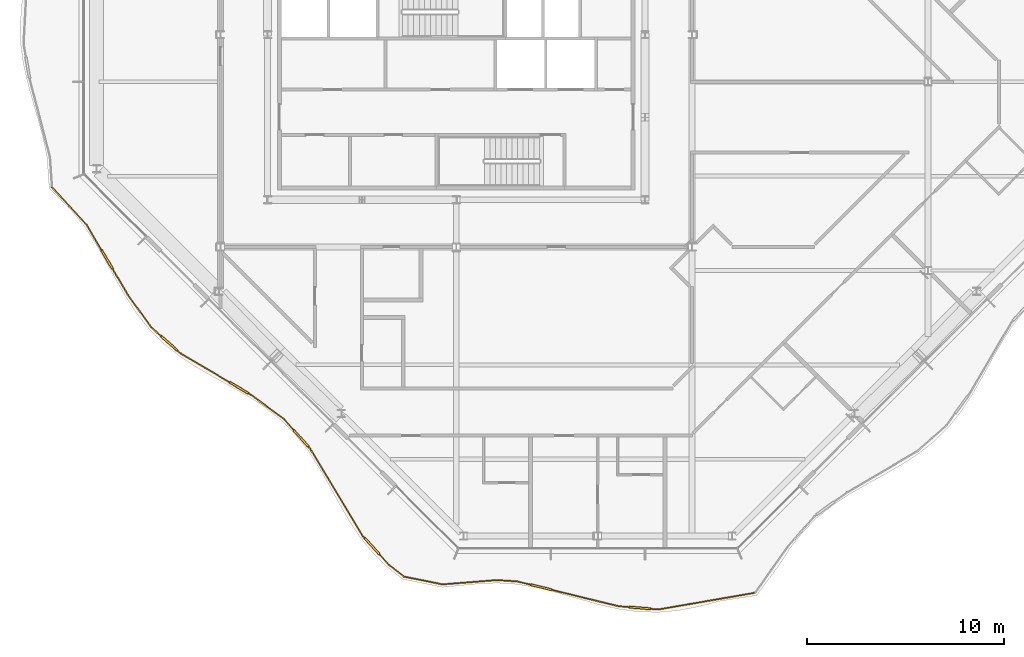
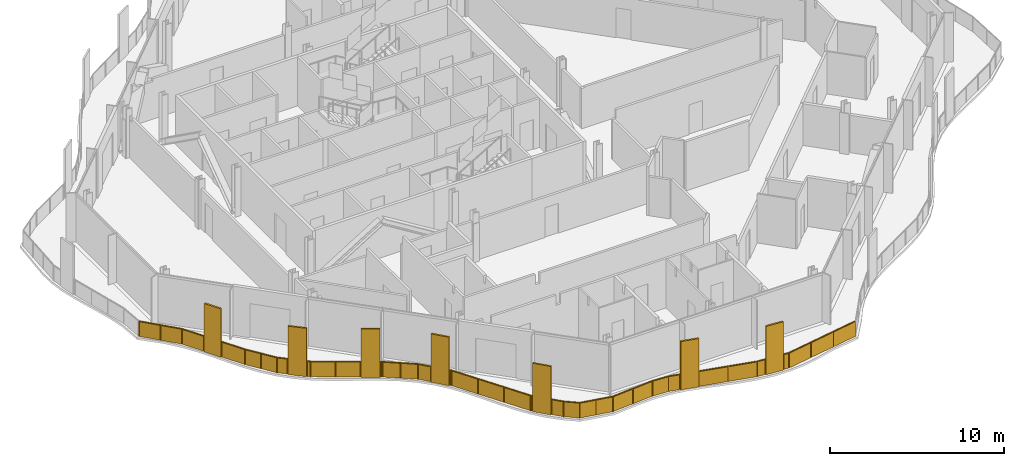
# One storey, part 13 of 17: 1 railing.
"""IFC4 building model written with IfcOpenShell, lengths in metres."""

from ifc_helpers import new_model, si_unit, direction, frame, origin, origin_2d, place, context, subcontext, project, spatial, polyline, rectangle, outline, extrude, material, type_object, element, save


model = new_model("IFC4")

# Units and contexts
model_context = context("Model", 3, precision=1e-05, world=origin(), true_north=direction((0.0, 1.0)))
body_context = subcontext(model_context, "Body", "Model", "MODEL_VIEW")
ifc_project = project(units=[si_unit("LENGTHUNIT", "METRE"), si_unit("AREAUNIT", "SQUARE_METRE"), si_unit("VOLUMEUNIT", "CUBIC_METRE"), si_unit("PLANEANGLEUNIT", "RADIAN"), si_unit("MASSUNIT", "GRAM", prefix="KILO")], contexts=[model_context])

# Site, building, storey
site_placement = place(None, origin())
site = spatial("IfcSite", under=ifc_project, at=site_placement, CompositionType="ELEMENT")
building_placement = place(site_placement, origin())
building = spatial("IfcBuilding", under=site, at=building_placement, Name="Cairn Pilgrim Tower", CompositionType="ELEMENT")
storey_placement = place(building_placement, frame((0.0, 0.0, 270.60009765625)))
storey = spatial("IfcBuildingStorey", under=building, at=storey_placement, Name="L69", CompositionType="ELEMENT", Elevation=270.60009765625)

# Railing
ifc_material = material(Name="Bronze anodised aluminium rail, posts and fin screens with laminated glass infill", Category="aluminium")
railing_type = type_object("IfcRailingType", Name="BALCONY GUARD WITH FIN SCREENS", PredefinedType="GUARDRAIL", material=ifc_material)
railing_placement = place(storey_placement, frame((-13.370849609375, -5.365234375, 0.0)))
element("IfcRailing", 1, at=railing_placement, inside=storey, type_object=railing_type, Name="Balcony guard BGF-7 with fin screens", PredefinedType="GUARDRAIL", context=body_context, shape_type="SweptSolid", body=[
    extrude(rectangle(XDim=0.050048828125, YDim=0.050048828125, at=origin_2d()), frame((0.0, 0.0, 1.0751953125), z_axis=(0.678529183958, -0.734573445285, 0.0), x_axis=(0.734573445285, 0.678529183958, 0.0)), (0.0, 0.0, 1.0), 2.60498046875),
    extrude(rectangle(XDim=1.10009765625, YDim=0.110107421875, at=origin_2d()), frame((2.80517578125, -3.677978515625, 0.0), z_axis=(0.0, 0.0, 1.0), x_axis=(0.50693302498, -0.86198544546, 0.0)), (0.0, 0.0, 1.0), 3.39990234375),
    extrude(rectangle(XDim=0.050048828125, YDim=0.050048828125, at=origin_2d()), frame((1.767578125, -1.91357421875, 1.0751953125), z_axis=(0.50693302498, -0.86198544546, 0.0), x_axis=(0.86198544546, 0.50693302498, 0.0)), (0.0, 0.0, 1.0), 1.496826171875),
    extrude(rectangle(XDim=0.050048828125, YDim=0.050048828125, at=origin_2d()), frame((3.083984375, -4.15185546875, 1.0751953125), z_axis=(0.50693302498, -0.86198544546, 0.0), x_axis=(0.86198544546, 0.50693302498, 0.0)), (0.0, 0.0, 1.0), 1.568115234375),
    extrude(rectangle(XDim=0.050048828125, YDim=0.050048828125, at=origin_2d()), frame((3.87890625, -5.503662109375, 1.0751953125), z_axis=(0.586822495849, -0.809715603385, 0.0), x_axis=(0.809715603385, 0.586822495849, 0.0)), (0.0, 0.0, 1.0), 2.01318359375),
    extrude(rectangle(XDim=1.10009765625, YDim=0.110107421875, at=origin_2d()), frame((5.960693359375, -7.93701171875, 0.0), z_axis=(0.0, 0.0, 1.0), x_axis=(0.746267341468, -0.665646343833, 0.0)), (0.0, 0.0, 1.0), 3.39990234375),
    extrude(rectangle(XDim=0.050048828125, YDim=0.050048828125, at=origin_2d()), frame((5.060302734375, -7.1337890625, 1.0751953125), z_axis=(0.746267341468, -0.665646343833, 0.0), x_axis=(0.665646343833, 0.746267341468, 0.0)), (0.0, 0.0, 1.0), 0.656494140625),
    extrude(rectangle(XDim=0.050048828125, YDim=0.050048828125, at=origin_2d()), frame((6.37109375, -8.302978515625, 1.0751953125), z_axis=(0.746267341468, -0.665646343833, 0.0), x_axis=(0.665646343833, 0.746267341468, 0.0)), (0.0, 0.0, 1.0), 0.22705078125),
    extrude(rectangle(XDim=1.10009765625, YDim=0.110107421875, at=origin_2d()), frame((9.515380859375, -10.2001953125, 0.0), z_axis=(0.0, 0.0, 1.0), x_axis=(0.862405733075, -0.506217691867, 0.0)), (0.0, 0.0, 1.0), 3.39990234375),
    extrude(rectangle(XDim=0.050048828125, YDim=0.050048828125, at=origin_2d()), frame((6.54052734375, -8.4541015625, 1.0751953125), z_axis=(0.862405733075, -0.506217691867, 0.0), x_axis=(0.506217691867, 0.862405733075, 0.0)), (0.0, 0.0, 1.0), 2.8994140625),
    extrude(rectangle(XDim=0.050048828125, YDim=0.050048828125, at=origin_2d()), frame((9.989501953125, -10.478759765625, 1.0751953125), z_axis=(0.862405733075, -0.506217691867, 0.0), x_axis=(0.506217691867, 0.862405733075, 0.0)), (0.0, 0.0, 1.0), 0.150146484375),
    extrude(rectangle(XDim=0.050048828125, YDim=0.050048828125, at=origin_2d()), frame((10.119140625, -10.5546875, 1.0751953125), z_axis=(0.807225984202, -0.590242501375, 0.0), x_axis=(0.590242501375, 0.807225984202, 0.0)), (0.0, 0.0, 1.0), 2.05908203125),
    extrude(rectangle(XDim=1.10009765625, YDim=0.110107421875, at=origin_2d()), frame((12.671630859375, -12.7783203125, 0.0), z_axis=(0.0, 0.0, 1.0), x_axis=(0.662004497751, -0.749499863213, 0.0)), (0.0, 0.0, 1.0), 3.39990234375),
    extrude(rectangle(XDim=0.050048828125, YDim=0.050048828125, at=origin_2d()), frame((11.78125, -11.77001953125, 1.0751953125), z_axis=(0.662004497751, -0.749499863213, 0.0), x_axis=(0.749499863213, 0.662004497751, 0.0)), (0.0, 0.0, 1.0), 0.795166015625),
    extrude(rectangle(XDim=0.050048828125, YDim=0.050048828125, at=origin_2d()), frame((13.035888671875, -13.1904296875, 1.0751953125), z_axis=(0.662004497751, -0.749499863213, 0.0), x_axis=(0.749499863213, 0.662004497751, 0.0)), (0.0, 0.0, 1.0), 0.150146484375),
    extrude(rectangle(XDim=0.050048828125, YDim=0.050048828125, at=origin_2d()), frame((13.13525390625, -13.302978515625, 1.0751953125), z_axis=(0.515403394498, -0.856947688567, 0.0), x_axis=(0.856947688567, 0.515403394498, 0.0)), (0.0, 0.0, 1.0), 5.18017578125),
    extrude(rectangle(XDim=1.10009765625, YDim=0.110107421875, at=origin_2d()), frame((16.277099609375, -18.259033203125, 0.0), z_axis=(0.0, 0.0, 1.0), x_axis=(0.674292683114, -0.738464201908, 0.0)), (0.0, 0.0, 1.0), 3.39990234375),
    extrude(rectangle(XDim=0.050048828125, YDim=0.050048828125, at=origin_2d()), frame((15.80517578125, -17.7421875, 1.0751953125), z_axis=(0.674292683114, -0.738464201908, 0.0), x_axis=(0.738464201908, 0.674292683114, 0.0)), (0.0, 0.0, 1.0), 0.14990234375),
    extrude(rectangle(XDim=0.050048828125, YDim=0.050048828125, at=origin_2d()), frame((16.64794921875, -18.665283203125, 1.0751953125), z_axis=(0.674292683114, -0.738464201908, 0.0), x_axis=(0.738464201908, 0.674292683114, 0.0)), (0.0, 0.0, 1.0), 0.73583984375),
    extrude(rectangle(XDim=0.050048828125, YDim=0.050048828125, at=origin_2d()), frame((17.144287109375, -19.208740234375, 1.0751953125), z_axis=(0.788070383211, -0.615585145294, 0.0), x_axis=(0.615585145294, 0.788070383211, 0.0)), (0.0, 0.0, 1.0), 0.96533203125),
    extrude(rectangle(XDim=0.050048828125, YDim=0.050048828125, at=origin_2d()), frame((17.905029296875, -19.802978515625, 1.0751953125), z_axis=(0.979842541233, -0.199771355278, 0.0), x_axis=(0.199771355278, 0.979842541233, 0.0)), (0.0, 0.0, 1.0), 2.0029296875),
    extrude(rectangle(XDim=0.050048828125, YDim=0.050048828125, at=origin_2d()), frame((19.86767578125, -20.203125, 1.0751953125), z_axis=(0.996879179951, 0.078942387724, 0.0), x_axis=(-0.078942387724, 0.996879179951, 0.0)), (0.0, 0.0, 1.0), 2.767822265625),
    extrude(rectangle(XDim=0.050048828125, YDim=0.050048828125, at=origin_2d()), frame((22.626953125, -19.984619140625, 1.0751953125), z_axis=(0.997897390553, -0.064813562829, 0.0), x_axis=(0.064813562829, 0.997897390553, 0.0)), (0.0, 0.0, 1.0), 1.0546875),
    extrude(rectangle(XDim=1.10009765625, YDim=0.110107421875, at=origin_2d()), frame((24.89013671875, -20.349365234375, 0.0), z_axis=(0.0, 0.0, 1.0), x_axis=(0.971329255949, -0.237738252156, 0.0)), (0.0, 0.0, 1.0), 3.39990234375),
    extrude(rectangle(XDim=0.050048828125, YDim=0.050048828125, at=origin_2d()), frame((23.679443359375, -20.052978515625, 1.0751953125), z_axis=(0.971329255949, -0.237738252156, 0.0), x_axis=(0.237738252156, 0.971329255949, 0.0)), (0.0, 0.0, 1.0), 0.6962890625),
    extrude(rectangle(XDim=0.050048828125, YDim=0.050048828125, at=origin_2d()), frame((25.42431640625, -20.47998046875, 1.0751953125), z_axis=(0.971329255949, -0.237738252156, 0.0), x_axis=(0.237738252156, 0.971329255949, 0.0)), (0.0, 0.0, 1.0), 3.49951171875),
    extrude(rectangle(XDim=1.10009765625, YDim=0.110107421875, at=origin_2d()), frame((29.922119140625, -21.402587890625, 0.0), z_axis=(0.0, 0.0, 1.0), x_axis=(0.996621524335, -0.082131219596, 0.0)), (0.0, 0.0, 1.0), 3.39990234375),
    extrude(rectangle(XDim=0.050048828125, YDim=0.050048828125, at=origin_2d()), frame((28.823486328125, -21.31201171875, 1.0751953125), z_axis=(0.996621524335, -0.082131219596, 0.0), x_axis=(0.082131219596, 0.996621524335, 0.0)), (0.0, 0.0, 1.0), 0.552490234375),
    extrude(rectangle(XDim=0.050048828125, YDim=0.050048828125, at=origin_2d()), frame((30.47021484375, -21.44775390625, 1.0751953125), z_axis=(0.996621524335, -0.082131219596, 0.0), x_axis=(0.082131219596, 0.996621524335, 0.0)), (0.0, 0.0, 1.0), 0.380859375),
    extrude(rectangle(XDim=0.050048828125, YDim=0.050048828125, at=origin_2d()), frame((30.849853515625, -21.47900390625, 1.0751953125), z_axis=(0.985428650716, 0.170089312859, 0.0), x_axis=(-0.170089312859, 0.985428650716, 0.0)), (0.0, 0.0, 1.0), 4.930419921875),
    extrude(rectangle(XDim=0.050048828125, YDim=0.050048828125, at=origin_2d()), origin(), (0.0, 0.0, 1.0), 1.050048828125),
    extrude(rectangle(XDim=0.050048828125, YDim=0.050048828125, at=origin_2d()), frame((0.8837890625, -0.956787109375, 0.0)), (0.0, 0.0, 1.0), 1.050048828125),
    extrude(rectangle(XDim=0.050048828125, YDim=0.050048828125, at=origin_2d()), frame((1.767578125, -1.91357421875, 0.0)), (0.0, 0.0, 1.0), 1.050048828125),
    extrude(rectangle(XDim=0.050048828125, YDim=0.050048828125, at=origin_2d()), frame((2.513671875, -3.18212890625, 0.0)), (0.0, 0.0, 1.0), 1.050048828125),
    extrude(rectangle(XDim=0.050048828125, YDim=0.050048828125, at=origin_2d()), frame((3.0966796875, -4.173583984375, 0.0)), (0.0, 0.0, 1.0), 1.050048828125),
    extrude(rectangle(XDim=0.050048828125, YDim=0.050048828125, at=origin_2d()), frame((3.87890625, -5.503662109375, 0.0)), (0.0, 0.0, 1.0), 1.050048828125),
    extrude(rectangle(XDim=0.050048828125, YDim=0.050048828125, at=origin_2d()), frame((4.4697265625, -6.31884765625, 0.0)), (0.0, 0.0, 1.0), 1.050048828125),
    extrude(rectangle(XDim=0.050048828125, YDim=0.050048828125, at=origin_2d()), frame((5.060302734375, -7.1337890625, 0.0)), (0.0, 0.0, 1.0), 1.050048828125),
    extrude(rectangle(XDim=0.050048828125, YDim=0.050048828125, at=origin_2d()), frame((5.531494140625, -7.55419921875, 0.0)), (0.0, 0.0, 1.0), 1.050048828125),
    extrude(rectangle(XDim=0.050048828125, YDim=0.050048828125, at=origin_2d()), frame((6.389892578125, -8.319580078125, 0.0)), (0.0, 0.0, 1.0), 1.050048828125),
    extrude(rectangle(XDim=0.050048828125, YDim=0.050048828125, at=origin_2d()), frame((6.54052734375, -8.4541015625, 0.0)), (0.0, 0.0, 1.0), 1.050048828125),
    extrude(rectangle(XDim=0.050048828125, YDim=0.050048828125, at=origin_2d()), frame((7.780029296875, -9.181640625, 0.0)), (0.0, 0.0, 1.0), 1.050048828125),
    extrude(rectangle(XDim=0.050048828125, YDim=0.050048828125, at=origin_2d()), frame((9.019287109375, -9.9091796875, 0.0)), (0.0, 0.0, 1.0), 1.050048828125),
    extrude(rectangle(XDim=0.050048828125, YDim=0.050048828125, at=origin_2d()), frame((10.01123046875, -10.4912109375, 0.0)), (0.0, 0.0, 1.0), 1.050048828125),
    extrude(rectangle(XDim=0.050048828125, YDim=0.050048828125, at=origin_2d()), frame((10.119140625, -10.5546875, 0.0)), (0.0, 0.0, 1.0), 1.050048828125),
    extrude(rectangle(XDim=0.050048828125, YDim=0.050048828125, at=origin_2d()), frame((10.9501953125, -11.162353515625, 0.0)), (0.0, 0.0, 1.0), 1.050048828125),
    extrude(rectangle(XDim=0.050048828125, YDim=0.050048828125, at=origin_2d()), frame((11.78125, -11.77001953125, 0.0)), (0.0, 0.0, 1.0), 1.050048828125),
    extrude(rectangle(XDim=0.050048828125, YDim=0.050048828125, at=origin_2d()), frame((12.291015625, -12.34716796875, 0.0)), (0.0, 0.0, 1.0), 1.050048828125),
    extrude(rectangle(XDim=0.050048828125, YDim=0.050048828125, at=origin_2d()), frame((13.052490234375, -13.209228515625, 0.0)), (0.0, 0.0, 1.0), 1.050048828125),
    extrude(rectangle(XDim=0.050048828125, YDim=0.050048828125, at=origin_2d()), frame((13.13525390625, -13.302978515625, 0.0)), (0.0, 0.0, 1.0), 1.050048828125),
    extrude(rectangle(XDim=0.050048828125, YDim=0.050048828125, at=origin_2d()), frame((14.025146484375, -14.78271484375, 0.0)), (0.0, 0.0, 1.0), 1.050048828125),
    extrude(rectangle(XDim=0.050048828125, YDim=0.050048828125, at=origin_2d()), frame((14.915283203125, -16.262451171875, 0.0)), (0.0, 0.0, 1.0), 1.050048828125),
    extrude(rectangle(XDim=0.050048828125, YDim=0.050048828125, at=origin_2d()), frame((15.80517578125, -17.7421875, 0.0)), (0.0, 0.0, 1.0), 1.050048828125),
    extrude(rectangle(XDim=0.050048828125, YDim=0.050048828125, at=origin_2d()), frame((15.889404296875, -17.83447265625, 0.0)), (0.0, 0.0, 1.0), 1.050048828125),
    extrude(rectangle(XDim=0.050048828125, YDim=0.050048828125, at=origin_2d()), frame((16.664794921875, -18.683837890625, 0.0)), (0.0, 0.0, 1.0), 1.050048828125),
    extrude(rectangle(XDim=0.050048828125, YDim=0.050048828125, at=origin_2d()), frame((17.144287109375, -19.208740234375, 0.0)), (0.0, 0.0, 1.0), 1.050048828125),
    extrude(rectangle(XDim=0.050048828125, YDim=0.050048828125, at=origin_2d()), frame((17.905029296875, -19.802978515625, 0.0)), (0.0, 0.0, 1.0), 1.050048828125),
    extrude(rectangle(XDim=0.050048828125, YDim=0.050048828125, at=origin_2d()), frame((18.88623046875, -20.0029296875, 0.0)), (0.0, 0.0, 1.0), 1.050048828125),
    extrude(rectangle(XDim=0.050048828125, YDim=0.050048828125, at=origin_2d()), frame((19.86767578125, -20.203125, 0.0)), (0.0, 0.0, 1.0), 1.050048828125),
    extrude(rectangle(XDim=0.050048828125, YDim=0.050048828125, at=origin_2d()), frame((21.247314453125, -20.09375, 0.0)), (0.0, 0.0, 1.0), 1.050048828125),
    extrude(rectangle(XDim=0.050048828125, YDim=0.050048828125, at=origin_2d()), frame((22.626953125, -19.984619140625, 0.0)), (0.0, 0.0, 1.0), 1.050048828125),
    extrude(rectangle(XDim=0.050048828125, YDim=0.050048828125, at=origin_2d()), frame((23.679443359375, -20.052978515625, 0.0)), (0.0, 0.0, 1.0), 1.050048828125),
    extrude(rectangle(XDim=0.050048828125, YDim=0.050048828125, at=origin_2d()), frame((24.33154296875, -20.212646484375, 0.0)), (0.0, 0.0, 1.0), 1.050048828125),
    extrude(rectangle(XDim=0.050048828125, YDim=0.050048828125, at=origin_2d()), frame((25.44873046875, -20.486083984375, 0.0)), (0.0, 0.0, 1.0), 1.050048828125),
    extrude(rectangle(XDim=0.050048828125, YDim=0.050048828125, at=origin_2d()), frame((27.135986328125, -20.89892578125, 0.0)), (0.0, 0.0, 1.0), 1.050048828125),
    extrude(rectangle(XDim=0.050048828125, YDim=0.050048828125, at=origin_2d()), frame((28.823486328125, -21.31201171875, 0.0)), (0.0, 0.0, 1.0), 1.050048828125),
    extrude(rectangle(XDim=0.050048828125, YDim=0.050048828125, at=origin_2d()), frame((29.34912109375, -21.355224609375, 0.0)), (0.0, 0.0, 1.0), 1.050048828125),
    extrude(rectangle(XDim=0.050048828125, YDim=0.050048828125, at=origin_2d()), frame((30.4951171875, -21.44970703125, 0.0)), (0.0, 0.0, 1.0), 1.050048828125),
    extrude(rectangle(XDim=0.050048828125, YDim=0.050048828125, at=origin_2d()), frame((30.849853515625, -21.47900390625, 0.0)), (0.0, 0.0, 1.0), 1.050048828125),
    extrude(rectangle(XDim=0.050048828125, YDim=0.050048828125, at=origin_2d()), frame((32.469482421875, -21.199462890625, 0.0)), (0.0, 0.0, 1.0), 1.050048828125),
    extrude(rectangle(XDim=0.050048828125, YDim=0.050048828125, at=origin_2d()), frame((34.0888671875, -20.919921875, 0.0)), (0.0, 0.0, 1.0), 1.050048828125),
    extrude(rectangle(XDim=0.050048828125, YDim=0.050048828125, at=origin_2d()), frame((35.70849609375, -20.640380859375, 0.0)), (0.0, 0.0, 1.0), 1.050048828125),
    extrude(outline(polyline([(0.02490234375, 0.0), (1.277587890625, 0.0), (1.277587890625, 1.050048828125), (0.02490234375, 1.050048828125), (0.02490234375, 0.0)])), frame((0.00439453125, 0.004150390625, 0.0), z_axis=(-0.734573445285, -0.678529183958, 0.0), x_axis=(0.678529183958, -0.734573445285, 0.0)), (0.0, 0.0, 1.0), 0.011962890625),
    extrude(outline(polyline([(0.02490234375, 0.0), (1.277587890625, 0.0), (1.277587890625, 1.050048828125), (0.02490234375, 1.050048828125), (0.02490234375, 0.0)])), frame((0.88818359375, -0.95263671875, 0.0), z_axis=(-0.734573445285, -0.678529183958, 0.0), x_axis=(0.678529183958, -0.734573445285, 0.0)), (0.0, 0.0, 1.0), 0.011962890625),
    extrude(outline(polyline([(0.02490234375, 0.0), (1.44677734375, 0.0), (1.44677734375, 1.050048828125), (0.02490234375, 1.050048828125), (0.02490234375, 0.0)])), frame((1.772705078125, -1.91064453125, 0.0), z_axis=(-0.86198544546, -0.50693302498, 0.0), x_axis=(0.50693302498, -0.86198544546, 0.0)), (0.0, 0.0, 1.0), 0.011962890625),
    extrude(outline(polyline([(0.02490234375, 0.0), (1.51806640625, 0.0), (1.51806640625, 1.050048828125), (0.02490234375, 1.050048828125), (0.02490234375, 0.0)])), frame((3.101806640625, -4.17041015625, 0.0), z_axis=(-0.86198544546, -0.50693302498, 0.0), x_axis=(0.50693302498, -0.86198544546, 0.0)), (0.0, 0.0, 1.0), 0.011962890625),
    extrude(outline(polyline([(0.02490234375, 0.0), (0.981689453125, 0.0), (0.981689453125, 1.050048828125), (0.02490234375, 1.050048828125), (0.02490234375, 0.0)])), frame((3.8837890625, -5.500244140625, 0.0), z_axis=(-0.809715603385, -0.586822495849, 0.0), x_axis=(0.586822495849, -0.809715603385, 0.0)), (0.0, 0.0, 1.0), 0.011962890625),
    extrude(outline(polyline([(0.02490234375, 0.0), (0.981689453125, 0.0), (0.981689453125, 1.050048828125), (0.02490234375, 1.050048828125), (0.02490234375, 0.0)])), frame((4.474365234375, -6.315185546875, 0.0), z_axis=(-0.809715603385, -0.586822495849, 0.0), x_axis=(0.586822495849, -0.809715603385, 0.0)), (0.0, 0.0, 1.0), 0.011962890625),
    extrude(outline(polyline([(0.02490234375, 0.0), (0.6064453125, 0.0), (0.6064453125, 1.050048828125), (0.02490234375, 1.050048828125), (0.02490234375, 0.0)])), frame((5.064208984375, -7.12939453125, 0.0), z_axis=(-0.665646343833, -0.746267341468, 0.0), x_axis=(0.746267341468, -0.665646343833, 0.0)), (0.0, 0.0, 1.0), 0.011962890625),
    extrude(outline(polyline([(0.02490234375, 0.0), (0.177001953125, 0.0), (0.177001953125, 1.050048828125), (0.02490234375, 1.050048828125), (0.02490234375, 0.0)])), frame((6.393798828125, -8.315185546875, 0.0), z_axis=(-0.665646343833, -0.746267341468, 0.0), x_axis=(0.746267341468, -0.665646343833, 0.0)), (0.0, 0.0, 1.0), 0.011962890625),
    extrude(outline(polyline([(0.02490234375, 0.0), (1.412109375, 0.0), (1.412109375, 1.050048828125), (0.02490234375, 1.050048828125), (0.02490234375, 0.0)])), frame((6.54345703125, -8.448974609375, 0.0), z_axis=(-0.506217691867, -0.862405733075, 0.0), x_axis=(0.862405733075, -0.506217691867, 0.0)), (0.0, 0.0, 1.0), 0.011962890625),
    extrude(outline(polyline([(0.02490234375, 0.0), (1.412109375, 0.0), (1.412109375, 1.050048828125), (0.02490234375, 1.050048828125), (0.02490234375, 0.0)])), frame((7.782958984375, -9.176513671875, 0.0), z_axis=(-0.506217691867, -0.862405733075, 0.0), x_axis=(0.862405733075, -0.506217691867, 0.0)), (0.0, 0.0, 1.0), 0.011962890625),
    extrude(outline(polyline([(0.02490234375, 0.0), (0.10009765625, 0.0), (0.10009765625, 1.050048828125), (0.02490234375, 1.050048828125), (0.02490234375, 0.0)])), frame((10.01416015625, -10.486083984375, 0.0), z_axis=(-0.506217691867, -0.862405733075, 0.0), x_axis=(0.862405733075, -0.506217691867, 0.0)), (0.0, 0.0, 1.0), 0.011962890625),
    extrude(outline(polyline([(0.02490234375, 0.0), (1.00439453125, 0.0), (1.00439453125, 1.050048828125), (0.02490234375, 1.050048828125), (0.02490234375, 0.0)])), frame((10.12255859375, -10.5498046875, 0.0), z_axis=(-0.590242501375, -0.807225984202, 0.0), x_axis=(0.807225984202, -0.590242501375, 0.0)), (0.0, 0.0, 1.0), 0.011962890625),
    extrude(outline(polyline([(0.02490234375, 0.0), (1.00439453125, 0.0), (1.00439453125, 1.050048828125), (0.02490234375, 1.050048828125), (0.02490234375, 0.0)])), frame((10.95361328125, -11.157470703125, 0.0), z_axis=(-0.590242501375, -0.807225984202, 0.0), x_axis=(0.807225984202, -0.590242501375, 0.0)), (0.0, 0.0, 1.0), 0.011962890625),
    extrude(outline(polyline([(0.02490234375, 0.0), (0.7451171875, 0.0), (0.7451171875, 1.050048828125), (0.02490234375, 1.050048828125), (0.02490234375, 0.0)])), frame((11.78564453125, -11.76611328125, 0.0), z_axis=(-0.749499863213, -0.662004497751, 0.0), x_axis=(0.662004497751, -0.749499863213, 0.0)), (0.0, 0.0, 1.0), 0.011962890625),
    extrude(outline(polyline([(0.02490234375, 0.0), (0.10009765625, 0.0), (0.10009765625, 1.050048828125), (0.02490234375, 1.050048828125), (0.02490234375, 0.0)])), frame((13.056884765625, -13.205322265625, 0.0), z_axis=(-0.749499863213, -0.662004497751, 0.0), x_axis=(0.662004497751, -0.749499863213, 0.0)), (0.0, 0.0, 1.0), 0.011962890625),
    extrude(outline(polyline([(0.02490234375, 0.0), (1.70166015625, 0.0), (1.70166015625, 1.050048828125), (0.02490234375, 1.050048828125), (0.02490234375, 0.0)])), frame((13.140380859375, -13.2998046875, 0.0), z_axis=(-0.856947688567, -0.515403394498, 0.0), x_axis=(0.515403394498, -0.856947688567, 0.0)), (0.0, 0.0, 1.0), 0.011962890625),
    extrude(outline(polyline([(0.02490234375, 0.0), (1.70166015625, 0.0), (1.70166015625, 1.050048828125), (0.02490234375, 1.050048828125), (0.02490234375, 0.0)])), frame((14.0302734375, -14.779541015625, 0.0), z_axis=(-0.856947688567, -0.515403394498, 0.0), x_axis=(0.515403394498, -0.856947688567, 0.0)), (0.0, 0.0, 1.0), 0.011962890625),
    extrude(outline(polyline([(0.02490234375, 0.0), (1.70166015625, 0.0), (1.70166015625, 1.050048828125), (0.02490234375, 1.050048828125), (0.02490234375, 0.0)])), frame((14.92041015625, -16.25927734375, 0.0), z_axis=(-0.856947688567, -0.515403394498, 0.0), x_axis=(0.515403394498, -0.856947688567, 0.0)), (0.0, 0.0, 1.0), 0.011962890625),
    extrude(outline(polyline([(0.02490234375, 0.0), (0.099853515625, 0.0), (0.099853515625, 1.050048828125), (0.02490234375, 1.050048828125), (0.02490234375, 0.0)])), frame((15.8095703125, -17.738037109375, 0.0), z_axis=(-0.738464201908, -0.674292683114, 0.0), x_axis=(0.674292683114, -0.738464201908, 0.0)), (0.0, 0.0, 1.0), 0.011962890625),
    extrude(outline(polyline([(0.02490234375, 0.0), (0.685791015625, 0.0), (0.685791015625, 1.050048828125), (0.02490234375, 1.050048828125), (0.02490234375, 0.0)])), frame((16.66943359375, -18.6796875, 0.0), z_axis=(-0.738464201908, -0.674292683114, 0.0), x_axis=(0.674292683114, -0.738464201908, 0.0)), (0.0, 0.0, 1.0), 0.011962890625),
    extrude(outline(polyline([(0.02490234375, 0.0), (0.940185546875, 0.0), (0.940185546875, 1.050048828125), (0.02490234375, 1.050048828125), (0.02490234375, 0.0)])), frame((17.14794921875, -19.2041015625, 0.0), z_axis=(-0.615585145294, -0.788070383211, 0.0), x_axis=(0.788070383211, -0.615585145294, 0.0)), (0.0, 0.0, 1.0), 0.011962890625),
    extrude(outline(polyline([(0.02490234375, 0.0), (0.9765625, 0.0), (0.9765625, 1.050048828125), (0.02490234375, 1.050048828125), (0.02490234375, 0.0)])), frame((17.90625, -19.797119140625, 0.0), z_axis=(-0.199771355278, -0.979842541233, 0.0), x_axis=(0.979842541233, -0.199771355278, 0.0)), (0.0, 0.0, 1.0), 0.011962890625),
    extrude(outline(polyline([(0.02490234375, 0.0), (0.9765625, 0.0), (0.9765625, 1.050048828125), (0.02490234375, 1.050048828125), (0.02490234375, 0.0)])), frame((18.887451171875, -19.9970703125, 0.0), z_axis=(-0.199771355278, -0.979842541233, 0.0), x_axis=(0.979842541233, -0.199771355278, 0.0)), (0.0, 0.0, 1.0), 0.011962890625),
    extrude(outline(polyline([(0.02490234375, 0.0), (1.35888671875, 0.0), (1.35888671875, 1.050048828125), (0.02490234375, 1.050048828125), (0.02490234375, 0.0)])), frame((19.8671875, -20.197265625, 0.0), z_axis=(0.078942387724, -0.996879179951, 0.0), x_axis=(0.996879179951, 0.078942387724, 0.0)), (0.0, 0.0, 1.0), 0.011962890625),
    extrude(outline(polyline([(0.02490234375, 0.0), (1.35888671875, 0.0), (1.35888671875, 1.050048828125), (0.02490234375, 1.050048828125), (0.02490234375, 0.0)])), frame((21.246826171875, -20.087890625, 0.0), z_axis=(0.078942387724, -0.996879179951, 0.0), x_axis=(0.996879179951, 0.078942387724, 0.0)), (0.0, 0.0, 1.0), 0.011962890625),
    extrude(outline(polyline([(0.02490234375, 0.0), (1.02978515625, 0.0), (1.02978515625, 1.050048828125), (0.02490234375, 1.050048828125), (0.02490234375, 0.0)])), frame((22.62744140625, -19.978759765625, 0.0), z_axis=(-0.064813562829, -0.997897390553, 0.0), x_axis=(0.997897390553, -0.064813562829, 0.0)), (0.0, 0.0, 1.0), 0.011962890625),
    extrude(outline(polyline([(0.02490234375, 0.0), (0.646240234375, 0.0), (0.646240234375, 1.050048828125), (0.02490234375, 1.050048828125), (0.02490234375, 0.0)])), frame((23.680908203125, -20.047119140625, 0.0), z_axis=(-0.237738252156, -0.971329255949, 0.0), x_axis=(0.971329255949, -0.237738252156, 0.0)), (0.0, 0.0, 1.0), 0.011962890625),
    extrude(outline(polyline([(0.02490234375, 0.0), (1.712158203125, 0.0), (1.712158203125, 1.050048828125), (0.02490234375, 1.050048828125), (0.02490234375, 0.0)])), frame((25.449951171875, -20.480224609375, 0.0), z_axis=(-0.237738252156, -0.971329255949, 0.0), x_axis=(0.971329255949, -0.237738252156, 0.0)), (0.0, 0.0, 1.0), 0.011962890625),
    extrude(outline(polyline([(0.02490234375, 0.0), (1.712158203125, 0.0), (1.712158203125, 1.050048828125), (0.02490234375, 1.050048828125), (0.02490234375, 0.0)])), frame((27.137451171875, -20.893310546875, 0.0), z_axis=(-0.237738252156, -0.971329255949, 0.0), x_axis=(0.971329255949, -0.237738252156, 0.0)), (0.0, 0.0, 1.0), 0.011962890625),
    extrude(outline(polyline([(0.02490234375, 0.0), (0.50244140625, 0.0), (0.50244140625, 1.050048828125), (0.02490234375, 1.050048828125), (0.02490234375, 0.0)])), frame((28.823974609375, -21.30615234375, 0.0), z_axis=(-0.082131219596, -0.996621524335, 0.0), x_axis=(0.996621524335, -0.082131219596, 0.0)), (0.0, 0.0, 1.0), 0.011962890625),
    extrude(outline(polyline([(0.02490234375, 0.0), (0.330810546875, 0.0), (0.330810546875, 1.050048828125), (0.02490234375, 1.050048828125), (0.02490234375, 0.0)])), frame((30.495849609375, -21.44384765625, 0.0), z_axis=(-0.082131219596, -0.996621524335, 0.0), x_axis=(0.996621524335, -0.082131219596, 0.0)), (0.0, 0.0, 1.0), 0.011962890625),
    extrude(outline(polyline([(0.02490234375, 0.0), (1.618408203125, 0.0), (1.618408203125, 1.050048828125), (0.02490234375, 1.050048828125), (0.02490234375, 0.0)])), frame((30.848876953125, -21.47314453125, 0.0), z_axis=(0.170089312859, -0.985428650716, 0.0), x_axis=(0.985428650716, 0.170089312859, 0.0)), (0.0, 0.0, 1.0), 0.011962890625),
    extrude(outline(polyline([(0.02490234375, 0.0), (1.618408203125, 0.0), (1.618408203125, 1.050048828125), (0.02490234375, 1.050048828125), (0.02490234375, 0.0)])), frame((32.46826171875, -21.193603515625, 0.0), z_axis=(0.170089312859, -0.985428650716, 0.0), x_axis=(0.985428650716, 0.170089312859, 0.0)), (0.0, 0.0, 1.0), 0.011962890625),
    extrude(outline(polyline([(0.02490234375, 0.0), (1.618408203125, 0.0), (1.618408203125, 1.050048828125), (0.02490234375, 1.050048828125), (0.02490234375, 0.0)])), frame((34.087890625, -20.9140625, 0.0), z_axis=(0.170089312859, -0.985428650716, 0.0), x_axis=(0.985428650716, 0.170089312859, 0.0)), (0.0, 0.0, 1.0), 0.011962890625),
])

save(model, "model.ifc")
